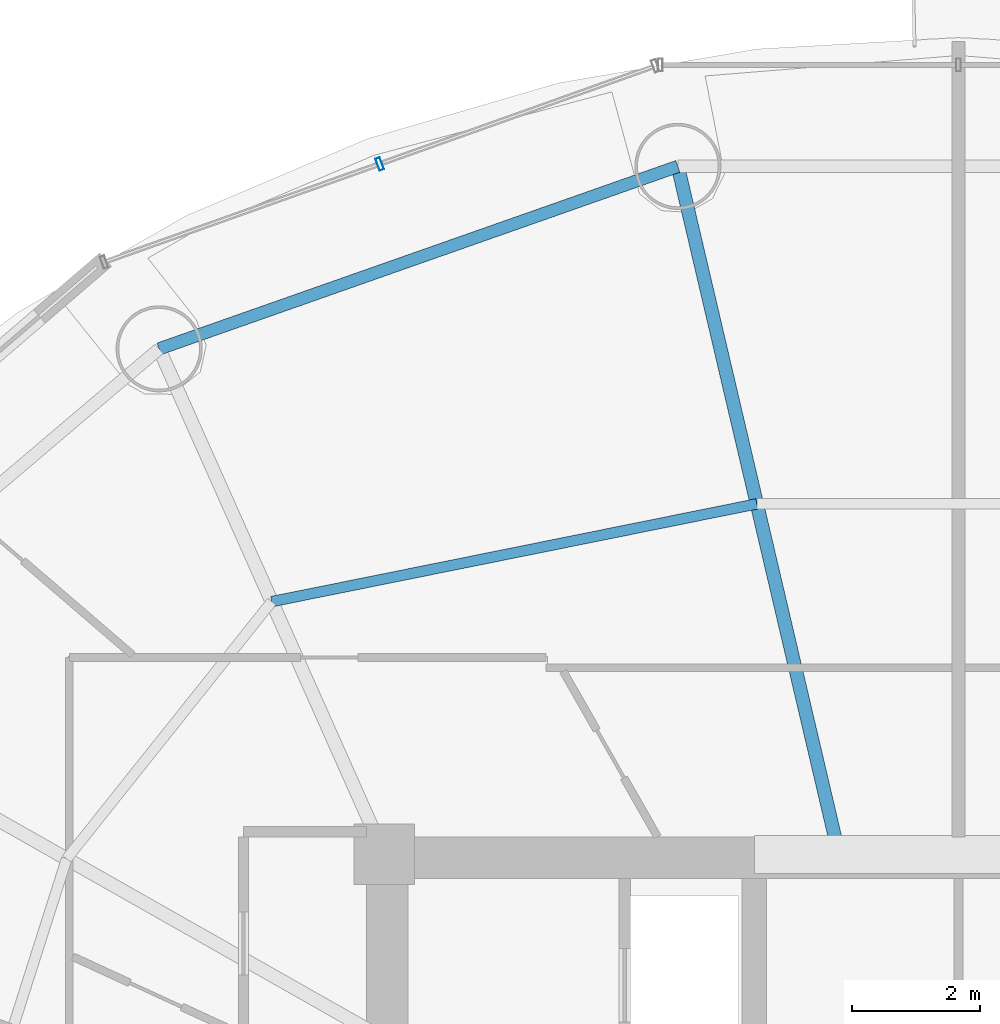
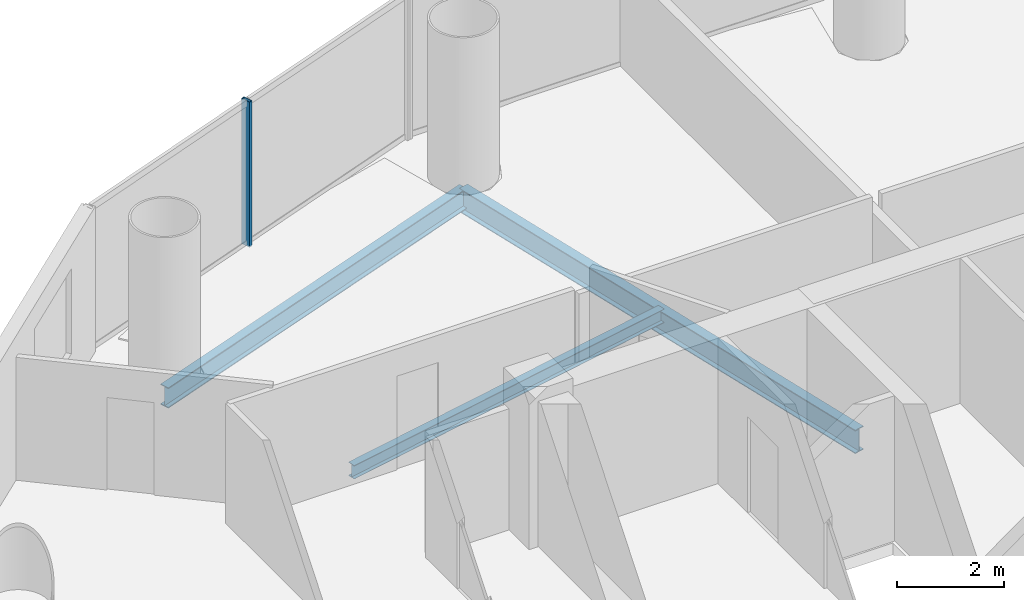
# One storey, part 14 of 26: 3 beams, 1 member, 1 element without a shape of its own.
"""IFC4 building model written with IfcOpenShell, lengths in metres."""

from ifc_helpers import new_model, si_unit, direction, frame, origin, origin_2d, place, context, subcontext, project, spatial, hollow_rectangle, i_section, extrude, source, transform, mapped, material, material_profile, profile_set, type_object, element, aggregate, save


model = new_model("IFC4")

# Units and contexts
model_context = context("Model", 3, precision=1e-05, world=origin(), true_north=direction((-0.2419218956, 0.970295726276)))
body_context = subcontext(model_context, "Body", "Model", "MODEL_VIEW")
ifc_project = project(units=[si_unit("LENGTHUNIT", "METRE"), si_unit("AREAUNIT", "SQUARE_METRE"), si_unit("VOLUMEUNIT", "CUBIC_METRE"), si_unit("PLANEANGLEUNIT", "RADIAN"), si_unit("MASSUNIT", "GRAM", prefix="KILO")], contexts=[model_context])

# Site, building, storey
site_placement = place(None, origin())
site = spatial("IfcSite", under=ifc_project, at=site_placement, CompositionType="ELEMENT")
building_placement = place(site_placement, origin())
building = spatial("IfcBuilding", under=site, at=building_placement, Name="Cobrevalo Terracotta Tower", CompositionType="ELEMENT")
storey_placement = place(building_placement, frame((0.0, 0.0, 171.39990234375)))
storey = spatial("IfcBuildingStorey", under=building, at=storey_placement, Name="L45", CompositionType="ELEMENT", Elevation=171.39990234375)

# Beams
ifc_material_1 = material(Name="Steel S355", Category="steel")
ifc_material_profile_1 = material_profile(ifc_material_1, i_section(OverallWidth=0.2109375, OverallDepth=0.5390625, WebThickness=0.01171875, FlangeThickness=0.018798828125, at=origin_2d()), Name="W 530x109")
ifc_profile_set_1 = profile_set([ifc_material_profile_1], Name="Steel S355")
beam_type_1 = type_object("IfcBeamType", Name="Structural Beam W 530x109 (Steel S355)", PredefinedType="BEAM", material=ifc_profile_set_1)
beam_1_placement = place(storey_placement, frame((33.600830078125, 45.58203125, -0.539306640625), z_axis=(0.228040864186, -0.973651562039, 0.0), x_axis=(0.973651562039, 0.228040864186, 0.0)))
element("IfcBeam", 1, at=beam_1_placement, inside=storey, type_object=beam_type_1, Name="L45 radial floor girder 05", PredefinedType="BEAM", context=body_context, shape_type="SweptSolid", body=[
    extrude(i_section(OverallWidth=0.2109375, OverallDepth=0.5390625, WebThickness=0.01171875, FlangeThickness=0.018798828125, at=origin_2d()), origin(), (0.0, 0.0, 1.0), 10.86328125),
])
ifc_material_profile_2 = material_profile(ifc_material_1, i_section(OverallWidth=0.1650390625, OverallDepth=0.31005859375, WebThickness=0.005859375, FlangeThickness=0.009765625, at=origin_2d()), Name="W 310x38.7")
ifc_profile_set_2 = profile_set([ifc_material_profile_2], Name="Steel S355")
beam_type_2 = type_object("IfcBeamType", Name="Structural Joist W 310x38.7 (Steel S355)", PredefinedType="JOIST", material=ifc_profile_set_2)
beam_2_placement = place(storey_placement, frame((34.83935546875, 40.29345703125, -0.4248046875), z_axis=(-0.980293928329, -0.197544461026, 0.0), x_axis=(0.197544461026, -0.980293928329, 0.0)))
element("IfcBeam", 2, at=beam_2_placement, inside=storey, type_object=beam_type_2, Name="L45 circumferential secondary floor joist 05", PredefinedType="JOIST", context=body_context, shape_type="SweptSolid", body=[
    extrude(i_section(OverallWidth=0.1650390625, OverallDepth=0.31005859375, WebThickness=0.005859375, FlangeThickness=0.009765625, at=origin_2d()), origin(), (0.0, 0.0, 1.0), 7.75634765625),
])
ifc_material_profile_3 = material_profile(ifc_material_1, i_section(OverallWidth=0.194091796875, OverallDepth=0.468994140625, WebThickness=0.011474609375, FlangeThickness=0.0205078125, at=origin_2d()), Name="W 460x106")
ifc_profile_set_3 = profile_set([ifc_material_profile_3], Name="Steel S355")
beam_type_3 = type_object("IfcBeamType", Name="Structural Spandrel W 460x106 (Steel S355)", PredefinedType="SPANDREL", material=ifc_profile_set_3)
beam_3_placement = place(storey_placement, frame((33.600830078125, 45.58203125, -0.50439453125), z_axis=(-0.943341298492, -0.331824041565, 0.0), x_axis=(0.331824041565, -0.943341298492, 0.0)))
element("IfcBeam", 3, at=beam_3_placement, inside=storey, type_object=beam_type_3, Name="L45 perimeter ring spandrel 05", PredefinedType="SPANDREL", context=body_context, shape_type="SweptSolid", body=[
    extrude(i_section(OverallWidth=0.194091796875, OverallDepth=0.468994140625, WebThickness=0.011474609375, FlangeThickness=0.0205078125, at=origin_2d()), origin(), (0.0, 0.0, 1.0), 8.6171875),
])

# Curtain wall, member
ifc_material_2 = material(Name="Anodized aluminium", Category="aluminium")
curtain_wall_type = type_object("IfcCurtainWallType", Name="Mid-tower high-wind unitised curtain wall CW-U2", PredefinedType="NOTDEFINED", material=ifc_material_2)
curtain_wall_placement = place(storey_placement, origin())
curtain_wall = element("IfcCurtainWall", 4, at=curtain_wall_placement, inside=storey, type_object=curtain_wall_type, Name="L45 curtain wall CW-L45-S05", PredefinedType="NOTDEFINED")
ifc_material_profile_4 = material_profile(ifc_material_2, hollow_rectangle(XDim=0.074951171875, YDim=0.199951171875, WallThickness=0.0048828125, at=origin_2d()), Name="CWM 75x200")
ifc_profile_set_4 = profile_set([ifc_material_profile_4], Name="Anodized aluminium")
member_type = type_object("IfcMemberType", Name="Lower/mid tower unitised mullion 75x200", PredefinedType="MULLION", material=ifc_profile_set_4)
shared_shape = source(origin(), body_context, "Body", "SweptSolid", [
    extrude(hollow_rectangle(XDim=0.074951171875, YDim=0.199951171875, WallThickness=0.0048828125, at=origin_2d()), origin(), (0.0, 0.0, 1.0), 3.330078125),
])
member_placement = place(storey_placement, frame((28.92822265625, 45.620361328125, 0.0), z_axis=(0.0, 0.0, 1.0), x_axis=(-0.942098428897, -0.335336473217, 0.0)))
member = element("IfcMember", 5, at=member_placement, type_object=member_type, Name="CW-L45-S05 vertical mullion 02", PredefinedType="MULLION", context=body_context, shape_type="MappedRepresentation", body=[
    mapped(shared_shape, transform((0.0, 0.0, 0.0), scale=1.0)),
])
aggregate(curtain_wall, [member])

save(model, "model.ifc")
